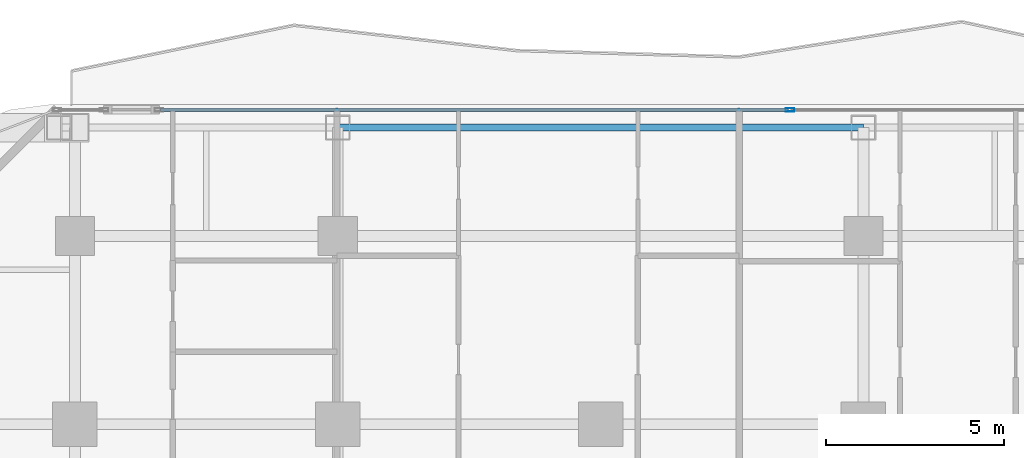
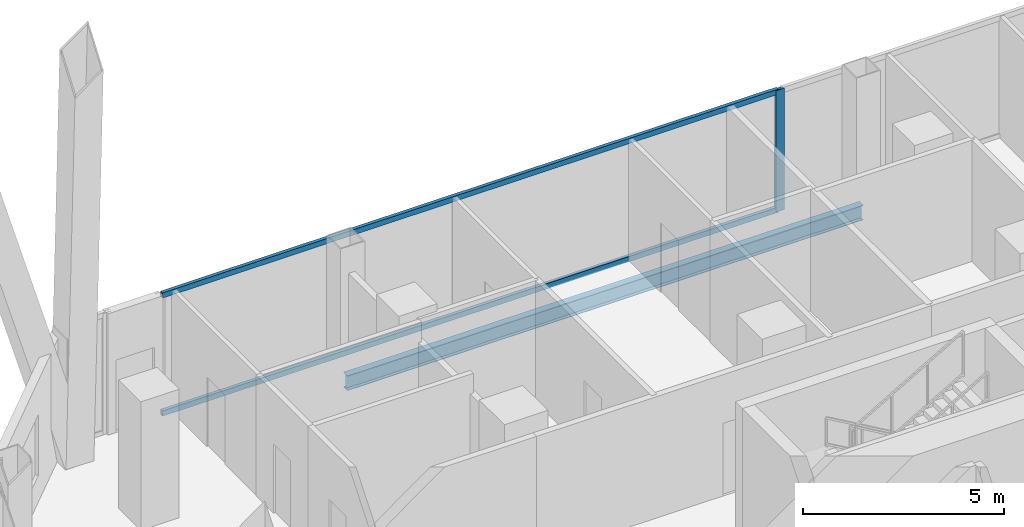
# One storey, part 18 of 32: 3 members, 1 beam, 1 element without a shape of its own.
"""IFC4 building model written with IfcOpenShell, lengths in metres."""

from ifc_helpers import new_model, si_unit, direction, frame, origin, origin_2d, place, context, subcontext, project, spatial, hollow_rectangle, i_section, extrude, material, layer, layer_set, material_profile, profile_set, type_object, element, aggregate, save


model = new_model("IFC4")

# Units and contexts
model_context = context("Model", 3, precision=1e-05, world=origin(), true_north=direction((0.0, 1.0)))
body_context = subcontext(model_context, "Body", "Model", "MODEL_VIEW")
ifc_project = project(units=[si_unit("LENGTHUNIT", "METRE"), si_unit("AREAUNIT", "SQUARE_METRE"), si_unit("VOLUMEUNIT", "CUBIC_METRE"), si_unit("PLANEANGLEUNIT", "RADIAN"), si_unit("MASSUNIT", "GRAM", prefix="KILO")], contexts=[model_context])

# Site, building, storey
site_placement = place(None, origin())
site = spatial("IfcSite", under=ifc_project, at=site_placement, CompositionType="ELEMENT")
building_placement = place(site_placement, origin())
building = spatial("IfcBuilding", under=site, at=building_placement, Name="Khorvyn Point Tower", CompositionType="ELEMENT")
storey_placement = place(building_placement, frame((0.0, 0.0, 148.5)))
storey = spatial("IfcBuildingStorey", under=building, at=storey_placement, Name="L37", CompositionType="ELEMENT", Elevation=148.5)

# Curtain wall, members
ifc_material_1 = material(Name="Anodised aluminium 6063-T6 and laminated Low-E glass", Category="aluminium")
ifc_layer = layer(ifc_material_1, 0.18994140625)
ifc_layer_set = layer_set([ifc_layer], Name="Stick-Built Acoustic Curtain Wall CW-SYS-03")
curtain_wall_type = type_object("IfcCurtainWallType", Name="Stick-Built Acoustic Curtain Wall CW-SYS-03", PredefinedType="NOTDEFINED", material=ifc_layer_set)
curtain_wall_placement = place(storey_placement, origin())
curtain_wall = element("IfcCurtainWall", 1, at=curtain_wall_placement, inside=storey, type_object=curtain_wall_type, Name="Curtain Wall", PredefinedType="NOTDEFINED")
ifc_material_2 = material(Name="Anodised aluminium 6063-T6", Category="aluminium")
ifc_material_profile_1 = material_profile(ifc_material_2, hollow_rectangle(XDim=0.10009765625, YDim=0.239990234375, WallThickness=0.0048828125, at=origin_2d()))
ifc_profile_set_1 = profile_set([ifc_material_profile_1], Name="Anodised aluminium 6063-T6 ALU-MUL-100x240")
member_type_1 = type_object("IfcMemberType", Name="Anodised Aluminium 6063-T6 Mullion ALU-MUL-100x240", PredefinedType="MULLION", material=ifc_profile_set_1)
member_1_placement = place(storey_placement, frame((5.33056640625, 23.64990234375, 0.0), z_axis=(0.0, 0.0, 1.0), x_axis=(0.0, 1.0, 0.0)))
member_1 = element("IfcMember", 2, at=member_1_placement, type_object=member_type_1, Name="Transom", PredefinedType="MULLION", context=body_context, shape_type="SweptSolid", body=[
    extrude(hollow_rectangle(XDim=0.10009765625, YDim=0.239990234375, WallThickness=0.0048828125, at=origin_2d()), origin(), (0.0, 0.0, 1.0), 3.679931640625),
])
ifc_material_profile_2 = material_profile(ifc_material_2, hollow_rectangle(XDim=0.10009765625, YDim=0.159912109375, WallThickness=0.00439453125, at=origin_2d()))
ifc_profile_set_2 = profile_set([ifc_material_profile_2], Name="Anodised aluminium 6063-T6 ALU-TRN-100x160")
member_type_2 = type_object("IfcMemberType", Name="Anodised Aluminium 6063-T6 Transom ALU-TRN-100x160", PredefinedType="USERDEFINED", material=ifc_profile_set_2)
member_2_placement = place(storey_placement, frame((-12.388916015625, 23.64990234375, 0.050048828125), z_axis=(1.0, 0.0, 0.0), x_axis=(0.0, 1.0, 0.0)))
member_2 = element("IfcMember", 3, at=member_2_placement, type_object=member_type_2, Name="Transom", ObjectType="TRANSOM", PredefinedType="USERDEFINED", context=body_context, shape_type="SweptSolid", body=[
    extrude(hollow_rectangle(XDim=0.10009765625, YDim=0.159912109375, WallThickness=0.00439453125, at=origin_2d()), origin(), (0.0, 0.0, 1.0), 17.66943359375),
])
member_3_placement = place(storey_placement, frame((-12.388916015625, 23.64990234375, 3.6298828125), z_axis=(1.0, 0.0, 0.0), x_axis=(0.0, 1.0, 0.0)))
member_3 = element("IfcMember", 4, at=member_3_placement, type_object=member_type_2, Name="Transom", ObjectType="TRANSOM", PredefinedType="USERDEFINED", context=body_context, shape_type="SweptSolid", body=[
    extrude(hollow_rectangle(XDim=0.10009765625, YDim=0.159912109375, WallThickness=0.00439453125, at=origin_2d()), origin(), (0.0, 0.0, 1.0), 17.66943359375),
])
aggregate(curtain_wall, [member_1, member_2, member_3])

# Beam
ifc_material_3 = material(Name="Steel S355", Category="steel")
ifc_material_profile_3 = material_profile(ifc_material_3, i_section(OverallWidth=0.199951171875, OverallDepth=0.449951171875, WebThickness=0.009033203125, FlangeThickness=0.013916015625, at=origin_2d()))
ifc_profile_set_3 = profile_set([ifc_material_profile_3], Name="Steel S355 H450x200x9x14")
beam_type = type_object("IfcBeamType", Name="Steel S355 Spandrel H450x200x9x14", PredefinedType="SPANDREL", material=ifc_profile_set_3)
beam_placement = place(storey_placement, frame((-7.39990234375, 23.14990234375, -0.445068359375), z_axis=(1.0, 0.0, 0.0), x_axis=(0.0, 1.0, 0.0)))
element("IfcBeam", 5, at=beam_placement, inside=storey, type_object=beam_type, Name="Beam", PredefinedType="SPANDREL", context=body_context, shape_type="SweptSolid", body=[
    extrude(i_section(OverallWidth=0.199951171875, OverallDepth=0.449951171875, WebThickness=0.009033203125, FlangeThickness=0.013916015625, at=origin_2d()), origin(), (0.0, 0.0, 1.0), 14.7998046875),
])

save(model, "model.ifc")
